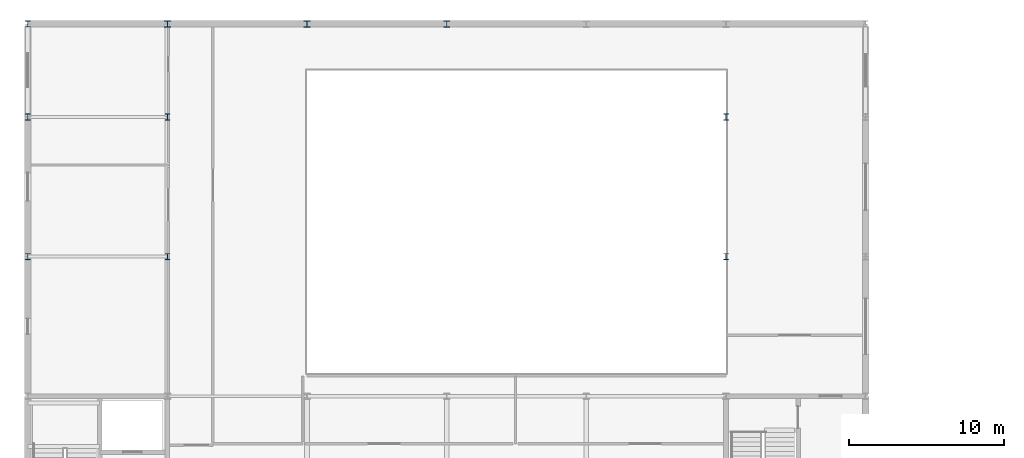
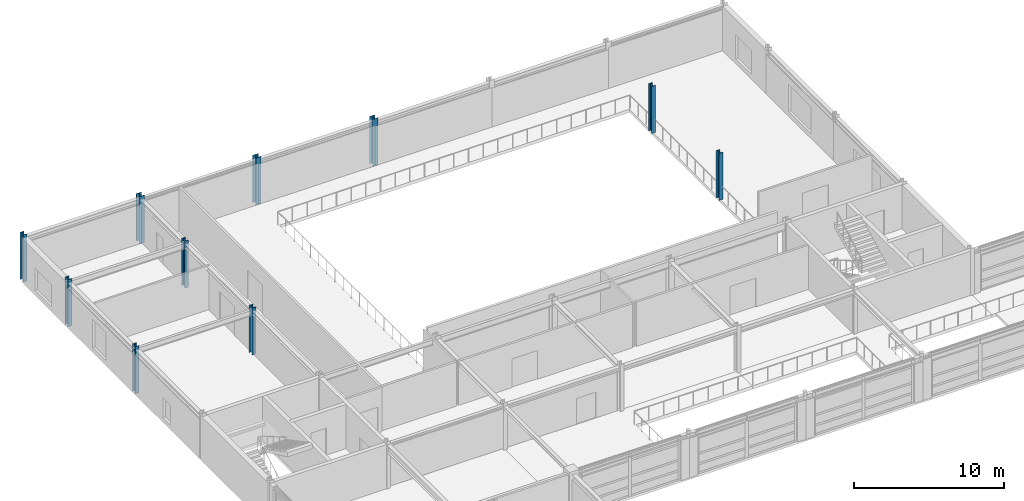
# One storey, part 11 of 79: 10 columns.
"""IFC4 building model written with IfcOpenShell, lengths in metres."""

import ifcopenshell
import ifcopenshell.guid

model = None  # the IFC model being written
_history = None  # IfcOwnerHistory: only IFC2X3 demands one
_inside = {}  # id of a spatial element -> (the spatial element, [elements in it])
_under = {}  # id of a project, library or spatial element -> (it, [spatial elements below it])
_declared = {}  # id of a project -> (the project, [libraries it declares])
_typed = {}  # id of a type object -> (the type object, [elements of that type])
_made_of = {}  # id of a material, layer set ... -> (it, [elements and type objects made of it])


def new_model(schema):
    """Start an empty IFC model of exactly this schema.

    Asked for "IFC4X3", IfcOpenShell would pick the latest addendum, in which some entities
    have other attributes; the version numbers below select the first issue.
    IFC2X3 requires an IfcOwnerHistory on every rooted entity: one is made here for all.
    """
    global model, _history
    if schema == "IFC4X3":
        model = ifcopenshell.file(schema_version=(4, 3, 0, 0))
    else:
        model = ifcopenshell.file(schema=schema)
    _inside.clear()
    _under.clear()
    _declared.clear()
    _typed.clear()
    _made_of.clear()
    _history = None
    if model.schema == "IFC2X3":
        org = make("IfcOrganization", Name="unknown")
        user = make(
            "IfcPersonAndOrganization",
            ThePerson=make("IfcPerson", FamilyName="unknown"),
            TheOrganization=org,
        )
        app = make(
            "IfcApplication",
            ApplicationDeveloper=org,
            Version="unknown",
            ApplicationFullName="unknown",
            ApplicationIdentifier="unknown",
        )
        _history = make(
            "IfcOwnerHistory",
            OwningUser=user,
            OwningApplication=app,
            ChangeAction="ADDED",
            CreationDate=0,
        )
    return model


def make(cls, **values):
    """One entity of the class cls with the attributes given. An attribute that is None is left unset."""
    return model.create_entity(
        cls, **{name: value for name, value in values.items() if value is not None}
    )


def rooted(cls, **values):
    """An entity with a GlobalId (a new one), such as an element, a storey or a relation."""
    return make(cls, GlobalId=ifcopenshell.guid.new(), OwnerHistory=_history, **values)


def si_unit(unit_type, name, prefix=None):
    """IfcSIUnit, for example si_unit("LENGTHUNIT", "METRE", prefix="MILLI")."""
    return make("IfcSIUnit", UnitType=unit_type, Prefix=prefix, Name=name)


def assignment(units):
    """IfcUnitAssignment: the units of a project."""
    return None if units is None else make("IfcUnitAssignment", Units=units)


def point(xyz):
    """IfcCartesianPoint."""
    return None if xyz is None else make("IfcCartesianPoint", Coordinates=xyz)


def direction(xyz):
    """IfcDirection."""
    return None if xyz is None else make("IfcDirection", DirectionRatios=xyz)


def frame(location, z_axis=None, x_axis=None):
    """IfcAxis2Placement3D, a coordinate frame: its origin and axes. An axis left out is left unset."""
    return make(
        "IfcAxis2Placement3D",
        Location=point(location),
        Axis=direction(z_axis),
        RefDirection=direction(x_axis),
    )


def frame_2d(location, x_axis=None):
    """IfcAxis2Placement2D, a coordinate frame in the plane: its origin and x axis."""
    return make(
        "IfcAxis2Placement2D", Location=point(location), RefDirection=direction(x_axis)
    )


def origin():
    """The frame at (0, 0, 0) with its axes left unset."""
    return frame((0.0, 0.0, 0.0))


def origin_2d():
    """The frame at (0, 0) in the plane with its x axis left unset."""
    return frame_2d((0.0, 0.0))


def place(relative_to, where):
    """IfcLocalPlacement: puts the frame where relative to a parent placement (None: the world)."""
    return make(
        "IfcLocalPlacement", PlacementRelTo=relative_to, RelativePlacement=where
    )


def context(
    kind, dimensions, precision=None, world=None, true_north=None, identifier=None
):
    """IfcGeometricRepresentationContext, for example the 3D "Model" context."""
    return make(
        "IfcGeometricRepresentationContext",
        ContextIdentifier=identifier,
        ContextType=kind,
        CoordinateSpaceDimension=dimensions,
        Precision=precision,
        WorldCoordinateSystem=world,
        TrueNorth=true_north,
    )


def subcontext(parent, identifier, kind, view, scale=None):
    """IfcGeometricRepresentationSubContext, for example "Body" below "Model"."""
    return make(
        "IfcGeometricRepresentationSubContext",
        ContextIdentifier=identifier,
        ContextType=kind,
        ParentContext=parent,
        TargetScale=scale,
        TargetView=view,
    )


def project(units=None, contexts=None):
    """IfcProject with its units and contexts."""
    return rooted(
        "IfcProject",
        Name="project",
        RepresentationContexts=contexts,
        UnitsInContext=assignment(units),
    )


def spatial(cls, under=None, at=None, **own):
    """A site, building, storey or space (cls), placed at a placement, below another one or the project."""
    s = rooted(cls, ObjectPlacement=at, **own)
    if under is not None:
        _under.setdefault(under.id(), (under, []))[1].append(s)
    return s


def profile(cls, at=None, kind="AREA", **sizes):
    """A parametric profile (cls). Its sizes go by their IFC names, for example OverallWidth=200.0."""
    return make(cls, ProfileType=kind, Position=at, **sizes)


def i_section(**sizes):
    """IfcIShapeProfileDef."""
    return profile("IfcIShapeProfileDef", **sizes)


def extrude(swept, where, along, depth):
    """IfcExtrudedAreaSolid: the profile swept, set in the frame where, extruded along a direction by depth."""
    return make(
        "IfcExtrudedAreaSolid",
        SweptArea=swept,
        Position=where,
        ExtrudedDirection=direction(along),
        Depth=depth,
    )


def shape(context_of_items, identifier, shape_type, items):
    """IfcShapeRepresentation: the items that make up one representation, for example the "Body"."""
    return make(
        "IfcShapeRepresentation",
        ContextOfItems=context_of_items,
        RepresentationIdentifier=identifier,
        RepresentationType=shape_type,
        Items=items,
    )


def material(Name=None, Category=None):
    """IfcMaterial."""
    return make("IfcMaterial", Name=Name, Category=Category)


def material_profile(
    of_material, cross_section, Name=None, Category=None, Priority=None
):
    """IfcMaterialProfile: a cross section and its material."""
    return make(
        "IfcMaterialProfile",
        Name=Name,
        Material=of_material,
        Profile=cross_section,
        Priority=Priority,
        Category=Category,
    )


def profile_set(profiles, Name=None, composite=None):
    """IfcMaterialProfileSet."""
    return make(
        "IfcMaterialProfileSet",
        Name=Name,
        MaterialProfiles=profiles,
        CompositeProfile=composite,
    )


def made_of(thing, what):
    """Note that an element or type object is made of a material, layer set ...; save() writes the relation."""
    if what is not None:
        _made_of.setdefault(what.id(), (what, []))[1].append(thing)
    return thing


def type_object(cls, material=None, **own):
    """A type object (cls), such as IfcWallType, which elements share."""
    return made_of(rooted(cls, **own), material)


def element(
    cls,
    number,
    at=None,
    inside=None,
    cuts=None,
    type_object=None,
    material=None,
    context=None,
    identifier="Body",
    shape_type=None,
    held_by="IfcProductDefinitionShape",
    body=None,
    shapes=None,
    **own,
):
    """One element of the class cls, such as IfcWall. Its Tag is "e" and its number.

    at: its placement. inside: the storey or other place that contains it. cuts: it is an
    opening in that element (IfcRelVoidsElement). A single representation is given by context,
    identifier, shape_type and body (its items); several are given by shapes. held_by: the class
    of the entity that holds the representations. save() writes the other relations.
    """
    e = rooted(cls, Tag="e%d" % number, ObjectPlacement=at, **own)
    if body is not None:
        shapes = [shape(context, identifier, shape_type, body)]
    if shapes is not None:
        e.Representation = make(held_by, Representations=shapes)
    if inside is not None:
        _inside.setdefault(inside.id(), (inside, []))[1].append(e)
    if cuts is not None:
        rooted(
            "IfcRelVoidsElement", RelatingBuildingElement=cuts, RelatedOpeningElement=e
        )
    if type_object is not None:
        _typed.setdefault(type_object.id(), (type_object, []))[1].append(e)
    return made_of(e, material)


def aggregate(whole, parts):
    """IfcRelAggregates: a whole, such as a stair, and the parts it consists of."""
    return rooted("IfcRelAggregates", RelatingObject=whole, RelatedObjects=parts)


def save(model, path):
    """Write the relations noted so far, then the file.

    IfcRelAggregates (storeys below a building ...), IfcRelContainedInSpatialStructure (elements
    in a storey), IfcRelDefinesByType, IfcRelAssociatesMaterial and IfcRelDeclares: one each for
    every whole, place, type object, material and project.
    """
    for whole, parts in _under.values():
        aggregate(whole, parts)
    for where, things in _inside.values():
        rooted(
            "IfcRelContainedInSpatialStructure",
            RelatedElements=things,
            RelatingStructure=where,
        )
    for kind, things in _typed.values():
        rooted("IfcRelDefinesByType", RelatedObjects=things, RelatingType=kind)
    for what, things in _made_of.values():
        rooted("IfcRelAssociatesMaterial", RelatedObjects=things, RelatingMaterial=what)
    for by, libraries in _declared.values():
        rooted("IfcRelDeclares", RelatingContext=by, RelatedDefinitions=libraries)
    model.write(path)


model = new_model("IFC4")

# Units and contexts
model_context = context("Model", 3, precision=1e-05, world=origin(), true_north=direction((0.0, 1.0)))
body_context = subcontext(model_context, "Body", "Model", "MODEL_VIEW")
ifc_project = project(units=[si_unit("LENGTHUNIT", "METRE"), si_unit("AREAUNIT", "SQUARE_METRE"), si_unit("VOLUMEUNIT", "CUBIC_METRE"), si_unit("PLANEANGLEUNIT", "RADIAN"), si_unit("MASSUNIT", "GRAM", prefix="KILO")], contexts=[model_context])

# Site, building, storey
site_placement = place(None, origin())
site = spatial("IfcSite", under=ifc_project, at=site_placement, CompositionType="ELEMENT")
building_placement = place(site_placement, origin())
building = spatial("IfcBuilding", under=site, at=building_placement, Name="Palais des Congres Ocreval", CompositionType="ELEMENT")
storey_placement = place(building_placement, frame((0.0, 0.0, 4.320068359375)))
storey = spatial("IfcBuildingStorey", under=building, at=storey_placement, Name="L01", CompositionType="ELEMENT", Elevation=4.320068359375)

# Columns
ifc_material = material(Name="Steel S355", Category="steel")
ifc_material_profile_1 = material_profile(ifc_material, i_section(OverallWidth=0.406005859375, OverallDepth=0.416015625, WebThickness=0.0224609375, FlangeThickness=0.0380859375, at=origin_2d()), Name="HD 400x382")
ifc_profile_set_1 = profile_set([ifc_material_profile_1], Name="Steel S355")
column_type_1 = type_object("IfcColumnType", Name="Column HD 400x382 Steel S355", PredefinedType="COLUMN", material=ifc_profile_set_1)
for number, where, z_axis, x_axis, name in (
    (1, (9.0, 114.0, 0.0), (0.0, 0.0, 1.0), (1.0, 0.0, 0.0), "Column C03 L01"),
    (2, (18.0, 114.0, 0.0), (0.0, 0.0, 1.0), (1.0, 0.0, 0.0), "Column C03 L01"),
    (3, (27.0, 114.0, 0.0), (0.0, 0.0, 1.0), (1.0, 0.0, 0.0), "Column C03 L01"),
):
    element("IfcColumn", number, at=place(storey_placement, frame(where, z_axis=z_axis, x_axis=x_axis)), inside=storey, type_object=column_type_1, Name=name, PredefinedType="COLUMN", context=body_context, shape_type="SweptSolid", body=[
        extrude(i_section(OverallWidth=0.406005859375, OverallDepth=0.416015625, WebThickness=0.0224609375, FlangeThickness=0.0380859375, at=origin_2d()), origin(), (0.0, 0.0, 1.0), 3.83984375),
    ])
ifc_material_profile_2 = material_profile(ifc_material, i_section(OverallWidth=0.300048828125, OverallDepth=0.39990234375, WebThickness=0.013427734375, FlangeThickness=0.02392578125, at=origin_2d()), Name="HEB 400")
ifc_profile_set_2 = profile_set([ifc_material_profile_2], Name="Steel S355")
column_type_2 = type_object("IfcColumnType", Name="Column HEB 400 Steel S355", PredefinedType="COLUMN", material=ifc_profile_set_2)
for number, where, z_axis, x_axis, name in (
    (4, (0.0, 99.0, 0.0), (0.0, 0.0, 1.0), (1.0, 0.0, 0.0), "Column C10 L01"),
    (5, (0.0, 108.0, 0.0), (0.0, 0.0, 1.0), (1.0, 0.0, 0.0), "Column C10 L01"),
    (6, (0.0, 114.0, 0.0), (0.0, 0.0, 1.0), (1.0, 0.0, 0.0), "Column C10 L01"),
    (7, (9.0, 99.0, 0.0), (0.0, 0.0, 1.0), (1.0, 0.0, 0.0), "Column C10 L01"),
    (8, (9.0, 108.0, 0.0), (0.0, 0.0, 1.0), (1.0, 0.0, 0.0), "Column C10 L01"),
    (9, (45.0, 99.0, 0.0), (0.0, 0.0, 1.0), (1.0, 0.0, 0.0), "Column C10 L01"),
    (10, (45.0, 108.0, 0.0), (0.0, 0.0, 1.0), (1.0, 0.0, 0.0), "Column C10 L01"),
):
    element("IfcColumn", number, at=place(storey_placement, frame(where, z_axis=z_axis, x_axis=x_axis)), inside=storey, type_object=column_type_2, Name=name, PredefinedType="COLUMN", context=body_context, shape_type="SweptSolid", body=[
        extrude(i_section(OverallWidth=0.300048828125, OverallDepth=0.39990234375, WebThickness=0.013427734375, FlangeThickness=0.02392578125, at=origin_2d()), origin(), (0.0, 0.0, 1.0), 3.83984375),
    ])

save(model, "model.ifc")
